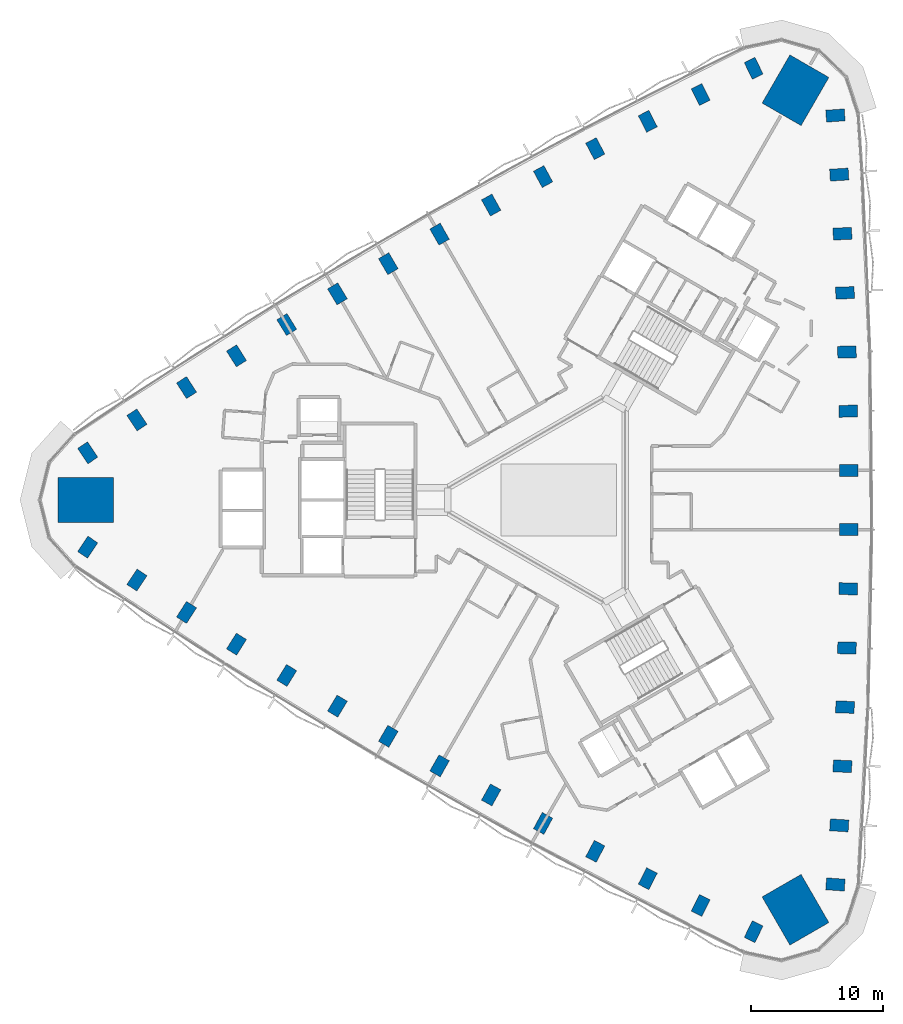
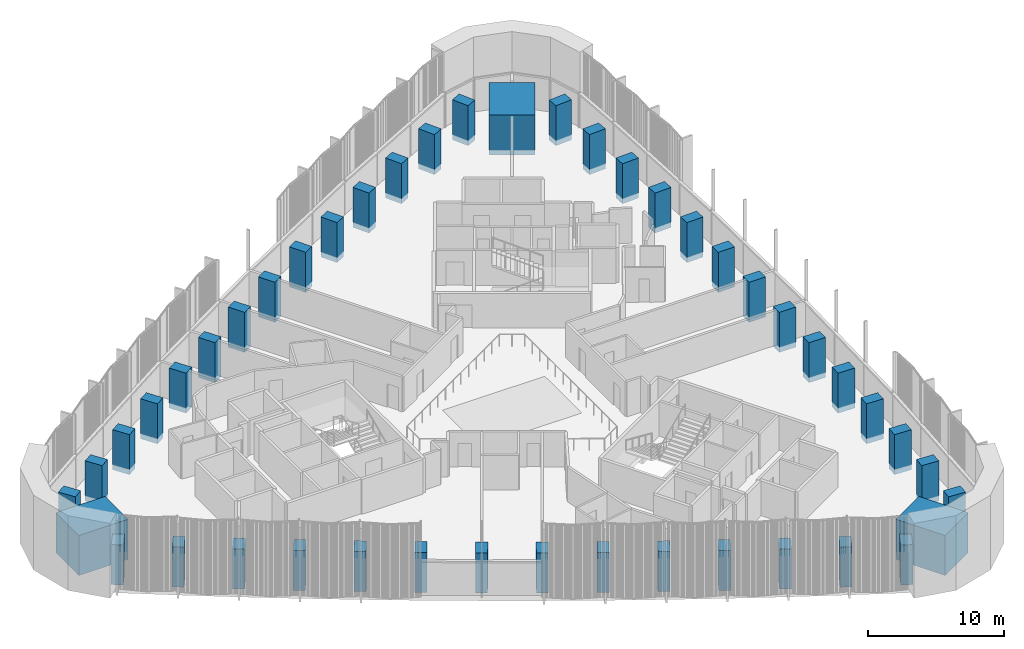
# One storey, part 1 of 15: 45 columns.
"""IFC4 building model written with IfcOpenShell, lengths in metres."""

from ifc_helpers import new_model, si_unit, direction, frame, origin, origin_2d, place, context, subcontext, project, spatial, rectangle, extrude, material, material_profile, profile_set, type_object, element, save


model = new_model("IFC4")

# Units and contexts
model_context = context("Model", 3, precision=1e-05, world=origin(), true_north=direction((0.0, 1.0)))
body_context = subcontext(model_context, "Body", "Model", "MODEL_VIEW")
ifc_project = project(units=[si_unit("LENGTHUNIT", "METRE"), si_unit("AREAUNIT", "SQUARE_METRE"), si_unit("VOLUMEUNIT", "CUBIC_METRE"), si_unit("PLANEANGLEUNIT", "RADIAN"), si_unit("MASSUNIT", "GRAM", prefix="KILO")], contexts=[model_context])

# Site, building, storey
site_placement = place(None, origin())
site = spatial("IfcSite", under=ifc_project, at=site_placement, CompositionType="ELEMENT")
building_placement = place(site_placement, origin())
building = spatial("IfcBuilding", under=site, at=building_placement, Name="Tamra Quay Hotel Tower", CompositionType="ELEMENT")
storey_placement = place(building_placement, frame((0.0, 0.0, 35.0)))
storey = spatial("IfcBuildingStorey", under=building, at=storey_placement, Name="L06", CompositionType="ELEMENT", Elevation=35.0)

# Columns
ifc_material = material(Name="Concrete M70", Category="concrete")
ifc_material_profile_1 = material_profile(ifc_material, rectangle(XDim=1.39990234375, YDim=0.89990234375, at=origin_2d()), Name="COLUMN RC 900x1400 Z1")
ifc_profile_set_1 = profile_set([ifc_material_profile_1], Name="Concrete M70")
column_type_1 = type_object("IfcColumnType", Name="COLUMN RC 900x1400 Z1", PredefinedType="COLUMN", material=ifc_profile_set_1)
for number, where, z_axis, x_axis, name in (
    (1, (20.87890625, -29.033935546875, -0.47509765625), (0.0, 0.0, 1.0), (-0.997561736499, 0.069789554182, 0.0), "COL-C1E01-L06"),
    (2, (21.168701171875, -24.572509765625, -0.47509765625), (0.0, 0.0, 1.0), (-0.998214376921, 0.059733221148, 0.0), "COL-C1E02-L06"),
    (3, (21.410400390625, -20.10888671875, -0.47509765625), (0.0, 0.0, 1.0), (-0.998830734492, 0.048344222345, 0.0), "COL-C1E03-L06"),
    (4, (21.60400390625, -15.642578125, -0.47509765625), (0.0, 0.0, 1.0), (-0.999284860458, 0.037812268629, 0.0), "COL-C1E04-L06"),
    (5, (21.7490234375, -11.17431640625, -0.47509765625), (0.0, 0.0, 1.0), (-0.999628128016, 0.02726913418, 0.0), "COL-C1E05-L06"),
    (6, (21.845947265625, -6.70556640625, -0.47509765625), (0.0, 0.0, 1.0), (-0.999874567832, 0.015838200722, 0.0), "COL-C1E06-L06"),
    (7, (21.894287109375, -2.2353515625, -0.47509765625), (0.0, 0.0, 1.0), (-0.999986062833, 0.00527959646, 0.0), "COL-C1E07-L06"),
    (8, (21.894287109375, 2.2353515625, -0.47509765625), (0.0, 0.0, 1.0), (0.999986062833, 0.00527959646, 0.0), "COL-C1E08-L06"),
    (9, (21.845947265625, 6.70556640625, -0.47509765625), (0.0, 0.0, 1.0), (0.999874567832, 0.015838200722, 0.0), "COL-C1E09-L06"),
    (10, (21.7490234375, 11.17431640625, -0.47509765625), (0.0, 0.0, 1.0), (0.999628128016, 0.02726913418, 0.0), "COL-C1E10-L06"),
    (11, (21.60400390625, 15.642578125, -0.47509765625), (0.0, 0.0, 1.0), (0.999284860458, 0.037812268629, 0.0), "COL-C1E11-L06"),
    (12, (21.410400390625, 20.10888671875, -0.47509765625), (0.0, 0.0, 1.0), (0.998830734492, 0.048344222345, 0.0), "COL-C1E12-L06"),
    (13, (21.168701171875, 24.572509765625, -0.47509765625), (0.0, 0.0, 1.0), (0.998214376921, 0.059733221148, 0.0), "COL-C1E13-L06"),
    (14, (20.87890625, 29.033935546875, -0.47509765625), (0.0, 0.0, 1.0), (0.997561736499, 0.069789554182, 0.0), "COL-C1E14-L06"),
    (15, (14.70458984375, 32.5986328125, -0.47509765625), (0.0, 0.0, 1.0), (-0.438341341409, 0.898808582743, 0.0), "COL-C1NW01-L06"),
    (16, (10.69580078125, 30.618896484375, -0.47509765625), (0.0, 0.0, 1.0), (-0.447376701496, 0.89434561941, 0.0), "COL-C1NW02-L06"),
    (17, (6.709716796875, 28.596435546875, -0.47509765625), (0.0, 0.0, 1.0), (-0.457548042569, 0.889184901323, 0.0), "COL-C1NW03-L06"),
    (18, (2.744873046875, 26.53076171875, -0.47509765625), (0.0, 0.0, 1.0), (-0.466896045022, 0.884312209088, 0.0), "COL-C1NW04-L06"),
    (19, (-1.197265625, 24.422607421875, -0.47509765625), (0.0, 0.0, 1.0), (-0.476198301069, 0.879337920289, 0.0), "COL-C1NW05-L06"),
    (20, (-5.11572265625, 22.27197265625, -0.47509765625), (0.0, 0.0, 1.0), (-0.486220999741, 0.873835876702, 0.0), "COL-C1NW06-L06"),
    (21, (-9.011474609375, 20.07861328125, -0.47509765625), (0.0, 0.0, 1.0), (-0.495420766761, 0.868653132074, 0.0), "COL-C1NW07-L06"),
    (22, (-12.883056640625, 17.843505859375, -0.47509765625), (0.0, 0.0, 1.0), (-0.504565296072, 0.863373535614, 0.0), "COL-C1NW08-L06"),
    (23, (-16.72998046875, 15.56640625, -0.47509765625), (0.0, 0.0, 1.0), (-0.513653568092, 0.85799767598, 0.0), "COL-C1NW09-L06"),
    (24, (-20.552001953125, 13.248046875, -0.47509765625), (0.0, 0.0, 1.0), (-0.523429826947, 0.85206878611, 0.0), "COL-C1NW10-L06"),
    (25, (-24.348876953125, 10.88818359375, -0.47509765625), (0.0, 0.0, 1.0), (-0.532388815436, 0.84649994046, 0.0), "COL-C1NW11-L06"),
    (26, (-28.1201171875, 8.487548828125, -0.47509765625), (0.0, 0.0, 1.0), (-0.541282691923, 0.840840678978, 0.0), "COL-C1NW12-L06"),
    (27, (-31.86474609375, 6.04638671875, -0.47509765625), (0.0, 0.0, 1.0), (-0.550837675425, 0.834612398262, 0.0), "COL-C1NW13-L06"),
    (28, (-35.58349609375, 3.564697265625, -0.47509765625), (0.0, 0.0, 1.0), (-0.55922039509, 0.82901902856, 0.0), "COL-C1NW14-L06"),
    (29, (-35.58349609375, -3.564697265625, -0.47509765625), (0.0, 0.0, 1.0), (0.55922039509, 0.82901902856, 0.0), "COL-C1SW01-L06"),
    (30, (-31.86474609375, -6.04638671875, -0.47509765625), (0.0, 0.0, 1.0), (0.550837675425, 0.834612398262, 0.0), "COL-C1SW02-L06"),
    (31, (-28.1201171875, -8.487548828125, -0.47509765625), (0.0, 0.0, 1.0), (0.541282691923, 0.840840678978, 0.0), "COL-C1SW03-L06"),
    (32, (-24.348876953125, -10.88818359375, -0.47509765625), (0.0, 0.0, 1.0), (0.532388815436, 0.84649994046, 0.0), "COL-C1SW04-L06"),
    (33, (-20.552001953125, -13.248046875, -0.47509765625), (0.0, 0.0, 1.0), (0.523429826947, 0.85206878611, 0.0), "COL-C1SW05-L06"),
    (34, (-16.72998046875, -15.56640625, -0.47509765625), (0.0, 0.0, 1.0), (0.513653568092, 0.85799767598, 0.0), "COL-C1SW06-L06"),
    (35, (-12.883056640625, -17.843505859375, -0.47509765625), (0.0, 0.0, 1.0), (0.504565296072, 0.863373535614, 0.0), "COL-C1SW07-L06"),
    (36, (-9.011474609375, -20.07861328125, -0.47509765625), (0.0, 0.0, 1.0), (0.495420766761, 0.868653132074, 0.0), "COL-C1SW08-L06"),
    (37, (-5.11572265625, -22.27197265625, -0.47509765625), (0.0, 0.0, 1.0), (0.486220999741, 0.873835876702, 0.0), "COL-C1SW09-L06"),
    (38, (-1.197265625, -24.422607421875, -0.47509765625), (0.0, 0.0, 1.0), (0.476198301069, 0.879337920289, 0.0), "COL-C1SW10-L06"),
    (39, (2.744873046875, -26.53076171875, -0.47509765625), (0.0, 0.0, 1.0), (0.466896045022, 0.884312209088, 0.0), "COL-C1SW11-L06"),
    (40, (6.709716796875, -28.596435546875, -0.47509765625), (0.0, 0.0, 1.0), (0.457548042569, 0.889184901323, 0.0), "COL-C1SW12-L06"),
    (41, (10.69580078125, -30.618896484375, -0.47509765625), (0.0, 0.0, 1.0), (0.447376701496, 0.89434561941, 0.0), "COL-C1SW13-L06"),
    (42, (14.70458984375, -32.5986328125, -0.47509765625), (0.0, 0.0, 1.0), (0.438341341409, 0.898808582743, 0.0), "COL-C1SW14-L06"),
):
    element("IfcColumn", number, at=place(storey_placement, frame(where, z_axis=z_axis, x_axis=x_axis)), inside=storey, type_object=column_type_1, Name=name, PredefinedType="COLUMN", context=body_context, shape_type="SweptSolid", body=[
        extrude(rectangle(XDim=1.39990234375, YDim=0.89990234375, at=origin_2d()), origin(), (0.0, 0.0, 1.0), 3.60009765625),
    ])
ifc_material_profile_2 = material_profile(ifc_material, rectangle(XDim=4.199951171875, YDim=3.39990234375, at=origin_2d()), Name="MEGA COLUMN RC 3400x4200 Z1")
ifc_profile_set_2 = profile_set([ifc_material_profile_2], Name="Concrete M70")
column_type_2 = type_object("IfcColumnType", Name="MEGA COLUMN RC 3400x4200 Z1", PredefinedType="COLUMN", material=ifc_profile_set_2)
for number, where, z_axis, x_axis, name in (
    (43, (17.864501953125, 30.942138671875, -0.47509765625), (0.0, 0.0, 1.0), (0.5, 0.866025403784, 0.0), "COL-M1NE-L06"),
    (44, (-35.72900390625, 0.0, -0.47509765625), (0.0, 0.0, 1.0), (1.0, 0.0, 0.0), "COL-M1W-L06"),
    (45, (17.864501953125, -30.942138671875, -0.47509765625), (0.0, 0.0, 1.0), (-0.5, 0.866025403784, 0.0), "COL-M1SE-L06"),
):
    element("IfcColumn", number, at=place(storey_placement, frame(where, z_axis=z_axis, x_axis=x_axis)), inside=storey, type_object=column_type_2, Name=name, PredefinedType="COLUMN", context=body_context, shape_type="SweptSolid", body=[
        extrude(rectangle(XDim=4.199951171875, YDim=3.39990234375, at=origin_2d()), origin(), (0.0, 0.0, 1.0), 3.60009765625),
    ])

save(model, "model.ifc")
